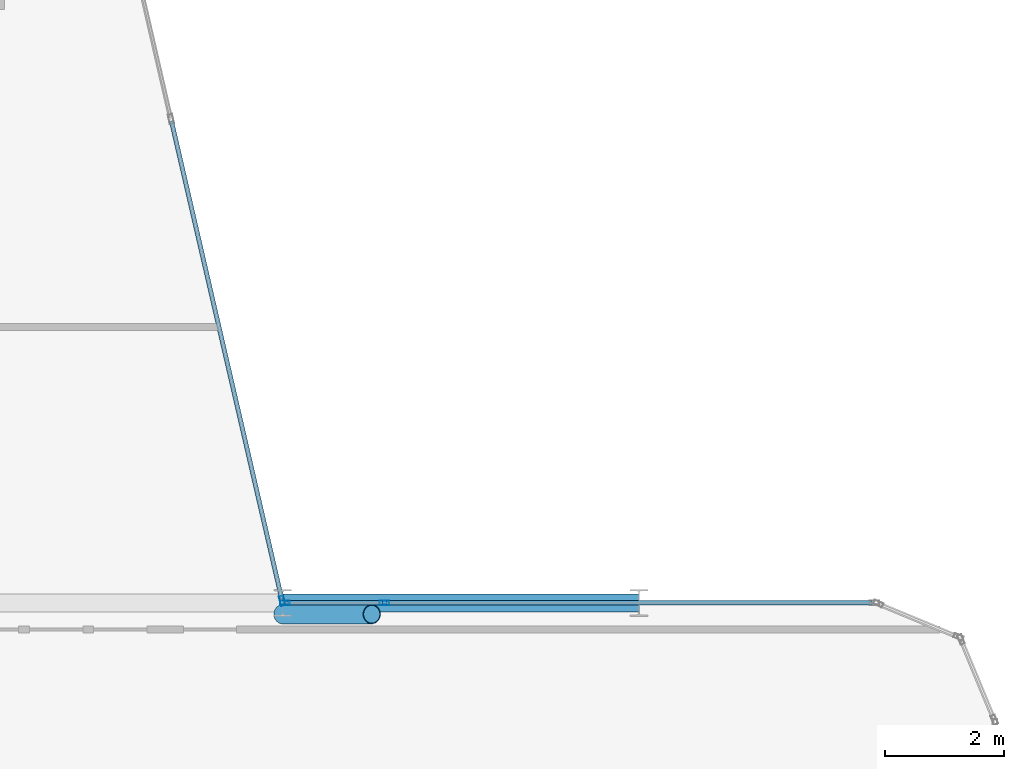
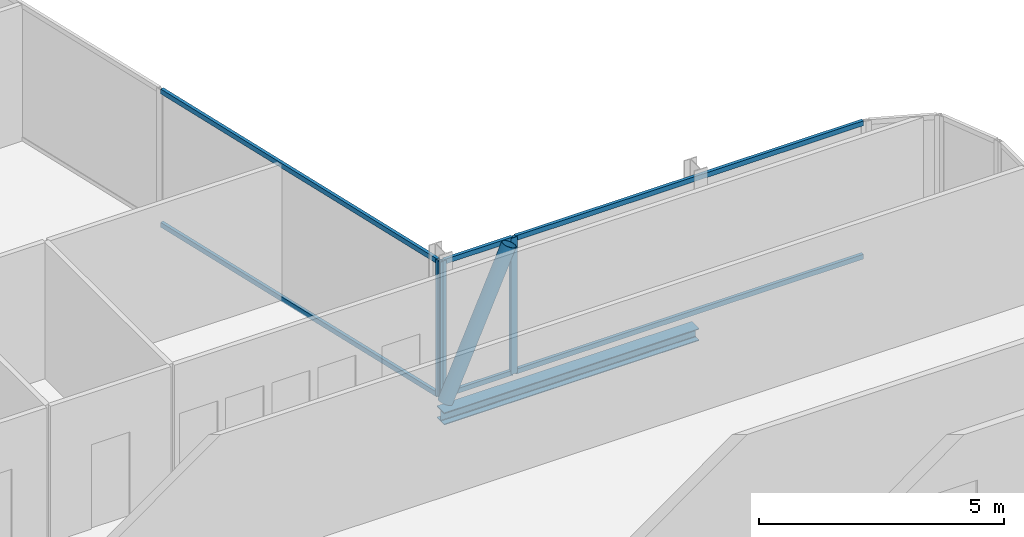
# One storey, part 14 of 29: 10 members, 1 beam, 3 elements without a shape of their own.
"""IFC4 building model written with IfcOpenShell, lengths in metres."""

from ifc_helpers import new_model, si_unit, direction, frame, origin, origin_2d, place, context, subcontext, project, spatial, hollow_rectangle, hollow_circle, i_section, extrude, material, layer, layer_set, material_profile, profile_set, type_object, element, aggregate, save


model = new_model("IFC4")

# Units and contexts
model_context = context("Model", 3, precision=1e-05, world=origin(), true_north=direction((0.0, 1.0)))
body_context = subcontext(model_context, "Body", "Model", "MODEL_VIEW")
ifc_project = project(units=[si_unit("LENGTHUNIT", "METRE"), si_unit("AREAUNIT", "SQUARE_METRE"), si_unit("VOLUMEUNIT", "CUBIC_METRE"), si_unit("PLANEANGLEUNIT", "RADIAN"), si_unit("MASSUNIT", "GRAM", prefix="KILO")], contexts=[model_context])

# Site, building, storey
site_placement = place(None, origin())
site = spatial("IfcSite", under=ifc_project, at=site_placement, CompositionType="ELEMENT")
building_placement = place(site_placement, origin())
building = spatial("IfcBuilding", under=site, at=building_placement, Name="Keshet Zoharim Tower", CompositionType="ELEMENT")
storey_placement = place(building_placement, frame((0.0, 0.0, 206.89990234375)))
storey = spatial("IfcBuildingStorey", under=building, at=storey_placement, Name="L51", CompositionType="ELEMENT", Elevation=206.89990234375)

# Beam
ifc_material_1 = material(Name="Steel S355", Category="steel")
ifc_material_profile_1 = material_profile(ifc_material_1, i_section(OverallWidth=0.300048828125, OverallDepth=0.300048828125, WebThickness=0.010986328125, FlangeThickness=0.01904296875, FilletRadius=0.027099609375, at=origin_2d()), Name="HEB300")
ifc_profile_set_1 = profile_set([ifc_material_profile_1], Name="Steel S355")
beam_type = type_object("IfcBeamType", Name="BM-PRI-HB300", PredefinedType="BEAM", material=ifc_profile_set_1)
beam_placement = place(storey_placement, frame((45.0, 27.89990234375, -0.4599609375), z_axis=(1.0, 0.0, 0.0), x_axis=(0.0, 1.0, 0.0)))
element("IfcBeam", 1, at=beam_placement, inside=storey, type_object=beam_type, Name="L51 Primary Girder X-016", PredefinedType="BEAM", context=body_context, shape_type="SweptSolid", body=[
    extrude(i_section(OverallWidth=0.300048828125, OverallDepth=0.300048828125, WebThickness=0.010986328125, FlangeThickness=0.01904296875, FilletRadius=0.027099609375, at=origin_2d()), origin(), (0.0, 0.0, 1.0), 6.0),
])

# Curtain wall, member
ifc_material_2 = material(Name="Aluminium 6063-T6", Category="aluminium")
ifc_layer = layer(ifc_material_2, 0.139892578125)
ifc_layer_set = layer_set([ifc_layer], Name="Aluminium 6063-T6")
curtain_wall_type = type_object("IfcCurtainWallType", Name="CW-SYS-05", PredefinedType="NOTDEFINED", material=ifc_layer_set)
curtain_wall_1_placement = place(storey_placement, origin())
curtain_wall_1 = element("IfcCurtainWall", 2, at=curtain_wall_1_placement, inside=storey, type_object=curtain_wall_type, Name="L51 Unitised Curtain Wall 19", PredefinedType="NOTDEFINED")
ifc_material_profile_2 = material_profile(ifc_material_2, hollow_rectangle(XDim=0.074951171875, YDim=0.159912109375, WallThickness=0.00390625, at=origin_2d()), Name="MUL-75x160")
ifc_profile_set_2 = profile_set([ifc_material_profile_2], Name="Aluminium 6063-T6")
member_type_1 = type_object("IfcMemberType", Name="CWM-M15", PredefinedType="MULLION", material=ifc_profile_set_2)
member_1_placement = place(storey_placement, frame((44.9921875, 27.93408203125, 0.0), z_axis=(0.0, 0.0, 1.0), x_axis=(0.974393882313, 0.224847864369, 0.0)))
member_1 = element("IfcMember", 3, at=member_1_placement, type_object=member_type_1, Name="CW-05 mullion 4", PredefinedType="MULLION", context=body_context, shape_type="SweptSolid", body=[
    extrude(hollow_rectangle(XDim=0.074951171875, YDim=0.159912109375, WallThickness=0.00390625, at=origin_2d()), origin(), (0.0, 0.0, 1.0), 3.39013671875),
])

# Curtain wall, members
curtain_wall_2_placement = place(storey_placement, origin())
curtain_wall_2 = element("IfcCurtainWall", 4, at=curtain_wall_2_placement, inside=storey, type_object=curtain_wall_type, Name="L51 Unitised Curtain Wall 20", PredefinedType="NOTDEFINED")
member_2_placement = place(storey_placement, frame((45.034912109375, 27.89990234375, 0.0), z_axis=(0.0, 0.0, 1.0), x_axis=(0.0, 1.0, 0.0)))
member_2 = element("IfcMember", 5, at=member_2_placement, type_object=member_type_1, Name="CW-05 mullion 1", PredefinedType="MULLION", context=body_context, shape_type="SweptSolid", body=[
    extrude(hollow_rectangle(XDim=0.074951171875, YDim=0.159912109375, WallThickness=0.00390625, at=origin_2d()), origin(), (0.0, 0.0, 1.0), 3.39013671875),
])
member_3_placement = place(storey_placement, frame((46.713134765625, 27.89990234375, 0.0), z_axis=(0.0, 0.0, 1.0), x_axis=(0.0, 1.0, 0.0)))
member_3 = element("IfcMember", 6, at=member_3_placement, type_object=member_type_1, Name="CW-05 mullion 2", PredefinedType="MULLION", context=body_context, shape_type="SweptSolid", body=[
    extrude(hollow_rectangle(XDim=0.074951171875, YDim=0.159912109375, WallThickness=0.00390625, at=origin_2d()), origin(), (0.0, 0.0, 1.0), 3.39013671875),
])

# Member
ifc_material_profile_3 = material_profile(ifc_material_2, hollow_rectangle(XDim=0.074951171875, YDim=0.1201171875, WallThickness=0.00390625, at=origin_2d()), Name="TRN-75x120")
ifc_profile_set_3 = profile_set([ifc_material_profile_3], Name="Aluminium 6063-T6")
member_type_2 = type_object("IfcMemberType", Name="CWT-T12", PredefinedType="USERDEFINED", material=ifc_profile_set_3)
member_4_placement = place(storey_placement, frame((43.127197265625, 36.015869140625, 0.03515625), z_axis=(0.224863824467, -0.974390199277, 0.0), x_axis=(0.974390199277, 0.224863824467, 0.0)))
member_4 = element("IfcMember", 7, at=member_4_placement, type_object=member_type_2, Name="CW-05 transom 3.1", ObjectType="TRANSOM", PredefinedType="USERDEFINED", context=body_context, shape_type="SweptSolid", body=[
    extrude(hollow_rectangle(XDim=0.074951171875, YDim=0.1201171875, WallThickness=0.00390625, at=origin_2d()), origin(), (0.0, 0.0, 1.0), 8.259033203125),
])

member_5_placement = place(storey_placement, frame((43.127197265625, 36.015869140625, 3.35498046875), z_axis=(0.224863824467, -0.974390199277, 0.0), x_axis=(0.974390199277, 0.224863824467, 0.0)))
member_5 = element("IfcMember", 8, at=member_5_placement, type_object=member_type_2, Name="CW-05 transom 3.2", ObjectType="TRANSOM", PredefinedType="USERDEFINED", context=body_context, shape_type="SweptSolid", body=[
    extrude(hollow_rectangle(XDim=0.074951171875, YDim=0.1201171875, WallThickness=0.00390625, at=origin_2d()), origin(), (0.0, 0.0, 1.0), 8.259033203125),
])

aggregate(curtain_wall_1, [member_1, member_4, member_5])

member_6_placement = place(storey_placement, frame((45.070068359375, 27.89990234375, 0.03515625), z_axis=(1.0, 0.0, 0.0), x_axis=(0.0, 1.0, 0.0)))
member_6 = element("IfcMember", 9, at=member_6_placement, type_object=member_type_2, Name="CW-05 transom 1.1", ObjectType="TRANSOM", PredefinedType="USERDEFINED", context=body_context, shape_type="SweptSolid", body=[
    extrude(hollow_rectangle(XDim=0.074951171875, YDim=0.1201171875, WallThickness=0.00390625, at=origin_2d()), origin(), (0.0, 0.0, 1.0), 1.60791015625),
])

member_7_placement = place(storey_placement, frame((45.070068359375, 27.89990234375, 3.35498046875), z_axis=(1.0, 0.0, 0.0), x_axis=(0.0, 1.0, 0.0)))
member_7 = element("IfcMember", 10, at=member_7_placement, type_object=member_type_2, Name="CW-05 transom 1.2", ObjectType="TRANSOM", PredefinedType="USERDEFINED", context=body_context, shape_type="SweptSolid", body=[
    extrude(hollow_rectangle(XDim=0.074951171875, YDim=0.1201171875, WallThickness=0.00390625, at=origin_2d()), origin(), (0.0, 0.0, 1.0), 1.60791015625),
])

aggregate(curtain_wall_2, [member_2, member_3, member_6, member_7])

# Curtain wall, members
curtain_wall_3_placement = place(storey_placement, origin())
curtain_wall_3 = element("IfcCurtainWall", 11, at=curtain_wall_3_placement, inside=storey, type_object=curtain_wall_type, Name="L51 Unitised Curtain Wall 20 Part 2", PredefinedType="NOTDEFINED")
member_8_placement = place(storey_placement, frame((46.748046875, 27.89990234375, 0.03515625), z_axis=(1.0, 0.0, 0.0), x_axis=(0.0, 1.0, 0.0)))
member_8 = element("IfcMember", 12, at=member_8_placement, type_object=member_type_2, Name="CW-05 transom 1.1", ObjectType="TRANSOM", PredefinedType="USERDEFINED", context=body_context, shape_type="SweptSolid", body=[
    extrude(hollow_rectangle(XDim=0.074951171875, YDim=0.1201171875, WallThickness=0.00390625, at=origin_2d()), origin(), (0.0, 0.0, 1.0), 8.181884765625),
])
member_9_placement = place(storey_placement, frame((46.748046875, 27.89990234375, 3.35498046875), z_axis=(1.0, 0.0, 0.0), x_axis=(0.0, 1.0, 0.0)))
member_9 = element("IfcMember", 13, at=member_9_placement, type_object=member_type_2, Name="CW-05 transom 1.2", ObjectType="TRANSOM", PredefinedType="USERDEFINED", context=body_context, shape_type="SweptSolid", body=[
    extrude(hollow_rectangle(XDim=0.074951171875, YDim=0.1201171875, WallThickness=0.00390625, at=origin_2d()), origin(), (0.0, 0.0, 1.0), 8.181884765625),
])
aggregate(curtain_wall_3, [member_8, member_9])

# Member
ifc_material_profile_4 = material_profile(ifc_material_1, hollow_circle(Radius=0.161865234375, WallThickness=0.012451171875, at=origin_2d()), Name="CHS323x12.5")
ifc_profile_set_4 = profile_set([ifc_material_profile_4], Name="Steel S355")
member_type_3 = type_object("IfcMemberType", Name="MB-BR-C323", PredefinedType="BRACE", material=ifc_profile_set_4)
member_10_placement = place(storey_placement, frame((45.0, 27.7099609375, 0.0), z_axis=(0.404622528463, 0.0, 0.914483793984), x_axis=(0.0, 1.0, 0.0)))
element("IfcMember", 14, at=member_10_placement, inside=storey, type_object=member_type_3, Name="L51 Perimeter Tube Brace 04", PredefinedType="BRACE", context=body_context, shape_type="SweptSolid", body=[
    extrude(hollow_circle(Radius=0.161865234375, WallThickness=0.012451171875, at=origin_2d()), origin(), (0.0, 0.0, 1.0), 3.707275390625),
])

save(model, "model.ifc")
